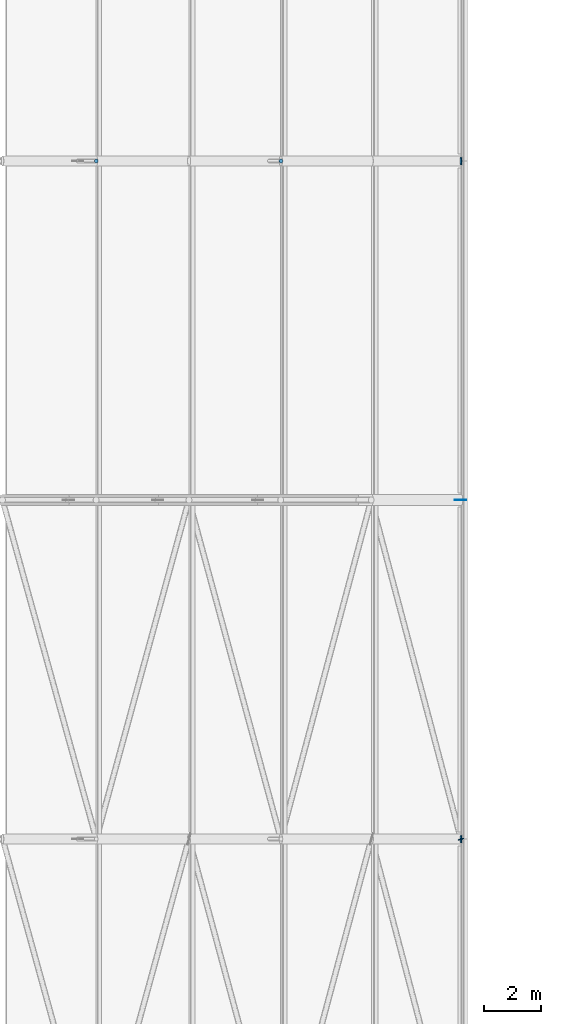
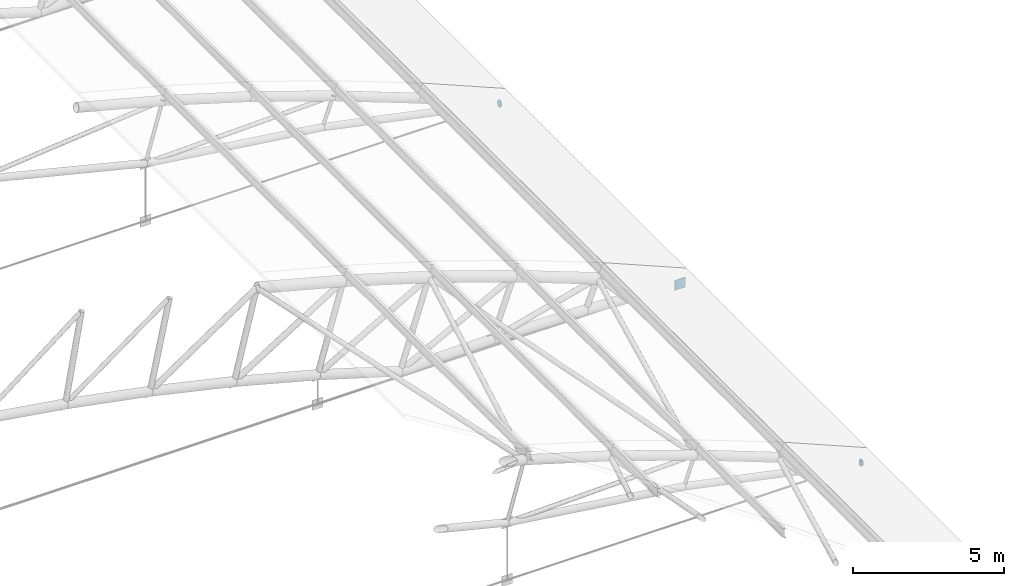
# One storey, part 282 of 321: 6 discrete accessories.
"""IFC4 building model written with IfcOpenShell, lengths in metres."""

from ifc_helpers import new_model, si_unit, direction, frame, origin, origin_2d, place, context, subcontext, project, spatial, rectangle, circle, extrude, material, material_profile, profile_set, type_object, element, save


model = new_model("IFC4")

# Units and contexts
model_context = context("Model", 3, precision=1e-05, world=origin(), true_north=direction((0.0, 1.0)))
body_context = subcontext(model_context, "Body", "Model", "MODEL_VIEW")
ifc_project = project(units=[si_unit("LENGTHUNIT", "METRE"), si_unit("AREAUNIT", "SQUARE_METRE"), si_unit("VOLUMEUNIT", "CUBIC_METRE"), si_unit("PLANEANGLEUNIT", "RADIAN"), si_unit("MASSUNIT", "GRAM", prefix="KILO")], contexts=[model_context])

# Site, building, storey
site_placement = place(None, origin())
site = spatial("IfcSite", under=ifc_project, at=site_placement, CompositionType="ELEMENT")
building_placement = place(site_placement, origin())
building = spatial("IfcBuilding", under=site, at=building_placement, Name="Ravi Spectrum Wholesale Market", CompositionType="ELEMENT")
storey_placement = place(building_placement, frame((0.0, 0.0, 10.800048828125)))
storey = spatial("IfcBuildingStorey", under=building, at=storey_placement, Name="L02", CompositionType="ELEMENT", Elevation=10.800048828125)

# Discrete accessories
ifc_material_1 = material(Name="Steel S355", Category="steel")
ifc_material_profile_1 = material_profile(ifc_material_1, circle(Radius=0.06982421875, at=origin_2d()))
ifc_profile_set_1 = profile_set([ifc_material_profile_1], Name="Steel S355")
discrete_accessory_type_1 = type_object("IfcDiscreteAccessoryType", Name="End plate CHS 139.7x5", PredefinedType="BRACKET", material=ifc_profile_set_1)
for number, where, z_axis, x_axis, name in (
    (1, (97.103759765625, 138.0, 4.661376953125), (0.266586054538, 0.0, 0.963811120254), (0.0, 1.0, 0.0), "End plate"),
    (2, (103.636962890625, 138.0, 2.56494140625), (0.346650140872, 0.0, 0.937994498829), (0.0, 1.0, 0.0), "End plate"),
):
    element("IfcDiscreteAccessory", number, at=place(storey_placement, frame(where, z_axis=z_axis, x_axis=x_axis)), inside=storey, type_object=discrete_accessory_type_1, Name=name, PredefinedType="BRACKET", context=body_context, shape_type="SweptSolid", body=[
        extrude(circle(Radius=0.06982421875, at=origin_2d()), origin(), (0.0, 0.0, 1.0), 0.011962890625),
    ])
ifc_material_2 = material(Name="Steel S355", Category="steel")
ifc_material_profile_2 = material_profile(ifc_material_2, circle(Radius=0.096923828125, at=origin_2d()))
ifc_profile_set_2 = profile_set([ifc_material_profile_2], Name="Steel S355")
discrete_accessory_type_2 = type_object("IfcDiscreteAccessoryType", Name="End plate CHS 193.7x6.3", PredefinedType="BRACKET", material=ifc_profile_set_2)
discrete_accessory_1_placement = place(storey_placement, frame((110.01025390625, 114.0, 0.023193359375), z_axis=(0.246079434959, -0.963811120254, -0.102533097899), x_axis=(0.968917710624, 0.247383245266, 0.0)))
element("IfcDiscreteAccessory", 3, at=discrete_accessory_1_placement, inside=storey, type_object=discrete_accessory_type_2, Name="End plate", PredefinedType="BRACKET", context=body_context, shape_type="SweptSolid", body=[
    extrude(circle(Radius=0.096923828125, at=origin_2d()), origin(), (0.0, 0.0, 1.0), 0.011962890625),
])
ifc_material_3 = material(Name="Steel S355", Category="steel")
ifc_material_profile_3 = material_profile(ifc_material_3, circle(Radius=0.136474609375, at=origin_2d()))
ifc_profile_set_3 = profile_set([ifc_material_profile_3], Name="Steel S355")
discrete_accessory_type_3 = type_object("IfcDiscreteAccessoryType", Name="End plate CHS 273x10", PredefinedType="BRACKET", material=ifc_profile_set_3)
for number, where, z_axis, x_axis, name in (
    (4, (110.01025390625, 114.0, 0.023193359375), (0.978980419738, 0.0, -0.203954254112), (0.0, 1.0, 0.0), "End plate"),
    (5, (110.01025390625, 138.0, 0.023193359375), (0.978980419738, 0.0, -0.203954254112), (0.0, 1.0, 0.0), "End plate"),
):
    element("IfcDiscreteAccessory", number, at=place(storey_placement, frame(where, z_axis=z_axis, x_axis=x_axis)), inside=storey, type_object=discrete_accessory_type_3, Name=name, PredefinedType="BRACKET", context=body_context, shape_type="SweptSolid", body=[
        extrude(circle(Radius=0.136474609375, at=origin_2d()), origin(), (0.0, 0.0, 1.0), 0.011962890625),
    ])
ifc_material_4 = material(Name="Steel S355", Category="steel")
ifc_material_profile_4 = material_profile(ifc_material_4, rectangle(XDim=0.39990234375, YDim=0.02001953125, at=origin_2d()))
ifc_profile_set_4 = profile_set([ifc_material_profile_4], Name="Steel S355")
discrete_accessory_type_4 = type_object("IfcDiscreteAccessoryType", Name="Gusset plate 400x400x20", PredefinedType="BRACKET", material=ifc_profile_set_4)
discrete_accessory_2_placement = place(storey_placement, frame((110.0, 126.0, -0.199951171875), z_axis=(0.0, 0.0, 1.0), x_axis=(1.0, 0.0, 0.0)))
element("IfcDiscreteAccessory", 6, at=discrete_accessory_2_placement, inside=storey, type_object=discrete_accessory_type_4, Name="Gusset plate", PredefinedType="BRACKET", context=body_context, shape_type="SweptSolid", body=[
    extrude(rectangle(XDim=0.39990234375, YDim=0.02001953125, at=origin_2d()), origin(), (0.0, 0.0, 1.0), 0.39990234375),
])

save(model, "model.ifc")
